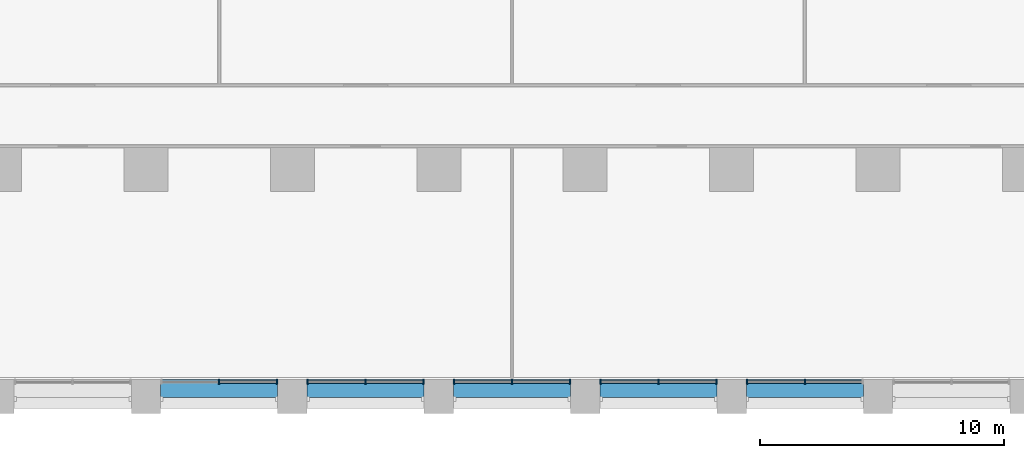
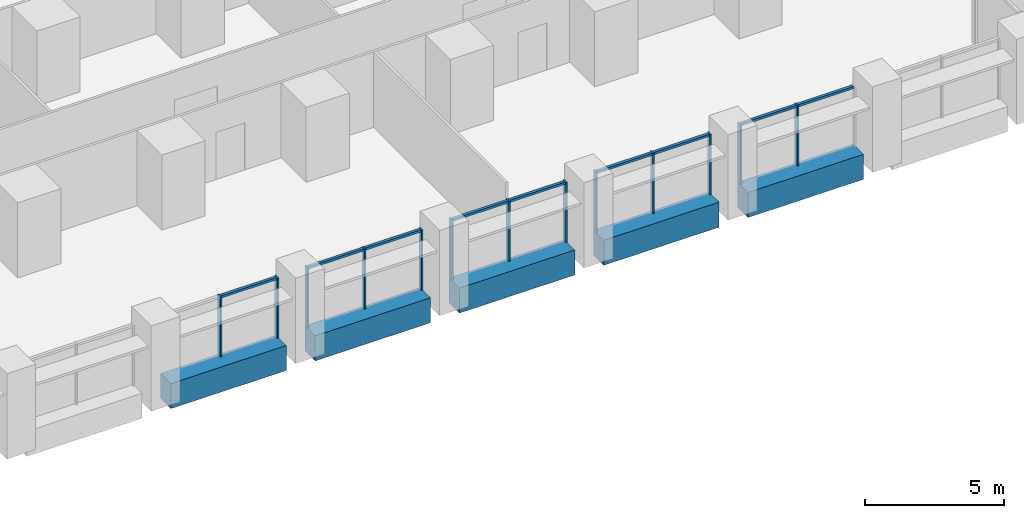
# One storey, part 3 of 18: 22 members, 5 beams, 5 elements without a shape of their own.
"""IFC4 building model written with IfcOpenShell, lengths in metres."""

from ifc_helpers import new_model, si_unit, direction, frame, origin, origin_2d, place, context, subcontext, project, spatial, rectangle, extrude, material, material_profile, profile_set, type_object, element, aggregate, save


model = new_model("IFC4")

# Units and contexts
model_context = context("Model", 3, precision=1e-05, world=origin(), true_north=direction((0.0, 1.0)))
body_context = subcontext(model_context, "Body", "Model", "MODEL_VIEW")
ifc_project = project(units=[si_unit("LENGTHUNIT", "METRE"), si_unit("AREAUNIT", "SQUARE_METRE"), si_unit("VOLUMEUNIT", "CUBIC_METRE"), si_unit("PLANEANGLEUNIT", "RADIAN"), si_unit("MASSUNIT", "GRAM", prefix="KILO")], contexts=[model_context])

# Site, building, storey
site_placement = place(None, origin())
site = spatial("IfcSite", under=ifc_project, at=site_placement, CompositionType="ELEMENT")
building_placement = place(site_placement, origin())
building = spatial("IfcBuilding", under=site, at=building_placement, Name="Calvaro Tower", CompositionType="ELEMENT")
storey_placement = place(building_placement, frame((0.0, 0.0, 33.75)))
storey = spatial("IfcBuildingStorey", under=building, at=storey_placement, Name="L07", CompositionType="ELEMENT", Elevation=33.75)

# Curtain wall, members
ifc_material_1 = material(Name="Anodised aluminium", Category="aluminium")
curtain_wall_type = type_object("IfcCurtainWallType", Name="Office curtain wall, lower zone", PredefinedType="NOTDEFINED", material=ifc_material_1)
curtain_wall_1_placement = place(storey_placement, origin())
curtain_wall_1 = element("IfcCurtainWall", 1, at=curtain_wall_1_placement, inside=storey, type_object=curtain_wall_type, Name="CW1 south curtain wall", PredefinedType="NOTDEFINED")
ifc_material_2 = material(Name="Anodised aluminium", Category="aluminium")
ifc_material_profile_1 = material_profile(ifc_material_2, rectangle(XDim=0.199951171875, YDim=0.06005859375, at=origin_2d()), Name="Mullion S1 60 x 200")
ifc_profile_set_1 = profile_set([ifc_material_profile_1], Name="Anodised aluminium")
member_type_1 = type_object("IfcMemberType", Name="Mullion S1 60 x 200", PredefinedType="MULLION", material=ifc_profile_set_1)
member_1_placement = place(storey_placement, frame((39.0, 1.300048828125, 0.0), z_axis=(0.0, 0.0, 1.0), x_axis=(0.0, 1.0, 0.0)))
member_1 = element("IfcMember", 2, at=member_1_placement, type_object=member_type_1, Name="CW1 mullion 2", PredefinedType="MULLION", context=body_context, shape_type="SweptSolid", body=[
    extrude(rectangle(XDim=0.199951171875, YDim=0.06005859375, at=origin_2d()), origin(), (0.0, 0.0, 1.0), 2.64990234375),
])
member_2_placement = place(storey_placement, frame((41.3701171875, 1.300048828125, 0.0), z_axis=(0.0, 0.0, 1.0), x_axis=(0.0, 1.0, 0.0)))
member_2 = element("IfcMember", 3, at=member_2_placement, type_object=member_type_1, Name="CW1 mullion 3", PredefinedType="MULLION", context=body_context, shape_type="SweptSolid", body=[
    extrude(rectangle(XDim=0.199951171875, YDim=0.06005859375, at=origin_2d()), origin(), (0.0, 0.0, 1.0), 2.64990234375),
])

curtain_wall_2_placement = place(storey_placement, origin())
curtain_wall_2 = element("IfcCurtainWall", 4, at=curtain_wall_2_placement, inside=storey, type_object=curtain_wall_type, Name="CW1 south curtain wall", PredefinedType="NOTDEFINED")
member_3_placement = place(storey_placement, frame((42.6298828125, 1.300048828125, 0.0), z_axis=(0.0, 0.0, 1.0), x_axis=(0.0, 1.0, 0.0)))
member_3 = element("IfcMember", 5, at=member_3_placement, type_object=member_type_1, Name="CW1 mullion 1", PredefinedType="MULLION", context=body_context, shape_type="SweptSolid", body=[
    extrude(rectangle(XDim=0.199951171875, YDim=0.06005859375, at=origin_2d()), origin(), (0.0, 0.0, 1.0), 2.64990234375),
])
member_4_placement = place(storey_placement, frame((45.0, 1.300048828125, 0.0), z_axis=(0.0, 0.0, 1.0), x_axis=(0.0, 1.0, 0.0)))
member_4 = element("IfcMember", 6, at=member_4_placement, type_object=member_type_1, Name="CW1 mullion 2", PredefinedType="MULLION", context=body_context, shape_type="SweptSolid", body=[
    extrude(rectangle(XDim=0.199951171875, YDim=0.06005859375, at=origin_2d()), origin(), (0.0, 0.0, 1.0), 2.64990234375),
])
member_5_placement = place(storey_placement, frame((47.3701171875, 1.300048828125, 0.0), z_axis=(0.0, 0.0, 1.0), x_axis=(0.0, 1.0, 0.0)))
member_5 = element("IfcMember", 7, at=member_5_placement, type_object=member_type_1, Name="CW1 mullion 3", PredefinedType="MULLION", context=body_context, shape_type="SweptSolid", body=[
    extrude(rectangle(XDim=0.199951171875, YDim=0.06005859375, at=origin_2d()), origin(), (0.0, 0.0, 1.0), 2.64990234375),
])

curtain_wall_3_placement = place(storey_placement, origin())
curtain_wall_3 = element("IfcCurtainWall", 8, at=curtain_wall_3_placement, inside=storey, type_object=curtain_wall_type, Name="CW1 south curtain wall", PredefinedType="NOTDEFINED")
member_6_placement = place(storey_placement, frame((48.6298828125, 1.300048828125, 0.0), z_axis=(0.0, 0.0, 1.0), x_axis=(0.0, 1.0, 0.0)))
member_6 = element("IfcMember", 9, at=member_6_placement, type_object=member_type_1, Name="CW1 mullion 1", PredefinedType="MULLION", context=body_context, shape_type="SweptSolid", body=[
    extrude(rectangle(XDim=0.199951171875, YDim=0.06005859375, at=origin_2d()), origin(), (0.0, 0.0, 1.0), 2.64990234375),
])
member_7_placement = place(storey_placement, frame((51.0, 1.300048828125, 0.0), z_axis=(0.0, 0.0, 1.0), x_axis=(0.0, 1.0, 0.0)))
member_7 = element("IfcMember", 10, at=member_7_placement, type_object=member_type_1, Name="CW1 mullion 2", PredefinedType="MULLION", context=body_context, shape_type="SweptSolid", body=[
    extrude(rectangle(XDim=0.199951171875, YDim=0.06005859375, at=origin_2d()), origin(), (0.0, 0.0, 1.0), 2.64990234375),
])
member_8_placement = place(storey_placement, frame((53.3701171875, 1.300048828125, 0.0), z_axis=(0.0, 0.0, 1.0), x_axis=(0.0, 1.0, 0.0)))
member_8 = element("IfcMember", 11, at=member_8_placement, type_object=member_type_1, Name="CW1 mullion 3", PredefinedType="MULLION", context=body_context, shape_type="SweptSolid", body=[
    extrude(rectangle(XDim=0.199951171875, YDim=0.06005859375, at=origin_2d()), origin(), (0.0, 0.0, 1.0), 2.64990234375),
])

curtain_wall_4_placement = place(storey_placement, origin())
curtain_wall_4 = element("IfcCurtainWall", 12, at=curtain_wall_4_placement, inside=storey, type_object=curtain_wall_type, Name="CW1 south curtain wall", PredefinedType="NOTDEFINED")
member_9_placement = place(storey_placement, frame((54.6298828125, 1.300048828125, 0.0), z_axis=(0.0, 0.0, 1.0), x_axis=(0.0, 1.0, 0.0)))
member_9 = element("IfcMember", 13, at=member_9_placement, type_object=member_type_1, Name="CW1 mullion 1", PredefinedType="MULLION", context=body_context, shape_type="SweptSolid", body=[
    extrude(rectangle(XDim=0.199951171875, YDim=0.06005859375, at=origin_2d()), origin(), (0.0, 0.0, 1.0), 2.64990234375),
])
member_10_placement = place(storey_placement, frame((57.0, 1.300048828125, 0.0), z_axis=(0.0, 0.0, 1.0), x_axis=(0.0, 1.0, 0.0)))
member_10 = element("IfcMember", 14, at=member_10_placement, type_object=member_type_1, Name="CW1 mullion 2", PredefinedType="MULLION", context=body_context, shape_type="SweptSolid", body=[
    extrude(rectangle(XDim=0.199951171875, YDim=0.06005859375, at=origin_2d()), origin(), (0.0, 0.0, 1.0), 2.64990234375),
])
member_11_placement = place(storey_placement, frame((59.3701171875, 1.300048828125, 0.0), z_axis=(0.0, 0.0, 1.0), x_axis=(0.0, 1.0, 0.0)))
member_11 = element("IfcMember", 15, at=member_11_placement, type_object=member_type_1, Name="CW1 mullion 3", PredefinedType="MULLION", context=body_context, shape_type="SweptSolid", body=[
    extrude(rectangle(XDim=0.199951171875, YDim=0.06005859375, at=origin_2d()), origin(), (0.0, 0.0, 1.0), 2.64990234375),
])

curtain_wall_5_placement = place(storey_placement, origin())
curtain_wall_5 = element("IfcCurtainWall", 16, at=curtain_wall_5_placement, inside=storey, type_object=curtain_wall_type, Name="CW1 south curtain wall", PredefinedType="NOTDEFINED")
member_12_placement = place(storey_placement, frame((60.6298828125, 1.300048828125, 0.0), z_axis=(0.0, 0.0, 1.0), x_axis=(0.0, 1.0, 0.0)))
member_12 = element("IfcMember", 17, at=member_12_placement, type_object=member_type_1, Name="CW1 mullion 1", PredefinedType="MULLION", context=body_context, shape_type="SweptSolid", body=[
    extrude(rectangle(XDim=0.199951171875, YDim=0.06005859375, at=origin_2d()), origin(), (0.0, 0.0, 1.0), 2.64990234375),
])
member_13_placement = place(storey_placement, frame((63.0, 1.300048828125, 0.0), z_axis=(0.0, 0.0, 1.0), x_axis=(0.0, 1.0, 0.0)))
member_13 = element("IfcMember", 18, at=member_13_placement, type_object=member_type_1, Name="CW1 mullion 2", PredefinedType="MULLION", context=body_context, shape_type="SweptSolid", body=[
    extrude(rectangle(XDim=0.199951171875, YDim=0.06005859375, at=origin_2d()), origin(), (0.0, 0.0, 1.0), 2.64990234375),
])

# Beams
ifc_material_3 = material(Name="Concrete C50/60 precast", Category="concrete")
ifc_material_profile_2 = material_profile(ifc_material_3, rectangle(XDim=0.75, YDim=1.10009765625, at=origin_2d()), Name="RC 750x1100")
ifc_profile_set_2 = profile_set([ifc_material_profile_2], Name="Concrete C50/60 precast")
beam_type = type_object("IfcBeamType", Name="Spandrel beam 750x1100 C50/60", PredefinedType="SPANDREL", material=ifc_profile_set_2)
for number, where, z_axis, x_axis, name in (
    (19, (36.60009765625, 1.02490234375, -0.550048828125), (1.0, 0.0, 0.0), (0.0, 1.0, 0.0), "Spandrel beam"),
    (20, (42.60009765625, 1.02490234375, -0.550048828125), (1.0, 0.0, 0.0), (0.0, 1.0, 0.0), "Spandrel beam"),
    (21, (48.60009765625, 1.02490234375, -0.550048828125), (1.0, 0.0, 0.0), (0.0, 1.0, 0.0), "Spandrel beam"),
    (22, (54.60009765625, 1.02490234375, -0.550048828125), (1.0, 0.0, 0.0), (0.0, 1.0, 0.0), "Spandrel beam"),
    (23, (60.60009765625, 1.02490234375, -0.550048828125), (1.0, 0.0, 0.0), (0.0, 1.0, 0.0), "Spandrel beam"),
):
    element("IfcBeam", number, at=place(storey_placement, frame(where, z_axis=z_axis, x_axis=x_axis)), inside=storey, type_object=beam_type, Name=name, PredefinedType="SPANDREL", context=body_context, shape_type="SweptSolid", body=[
        extrude(rectangle(XDim=0.75, YDim=1.10009765625, at=origin_2d()), origin(), (0.0, 0.0, 1.0), 4.7998046875),
    ])

# Member
ifc_material_4 = material(Name="Anodised aluminium", Category="aluminium")
ifc_material_profile_3 = material_profile(ifc_material_4, rectangle(XDim=0.1201171875, YDim=0.10009765625, at=origin_2d()), Name="Transom S1 100 x 120")
ifc_profile_set_3 = profile_set([ifc_material_profile_3], Name="Anodised aluminium")
member_type_2 = type_object("IfcMemberType", Name="Transom S1 100 x 120", PredefinedType="USERDEFINED", material=ifc_profile_set_3)
member_14_placement = place(storey_placement, frame((39.030029296875, 1.300048828125, 2.60009765625), z_axis=(1.0, 0.0, 0.0), x_axis=(0.0, 1.0, 0.0)))
member_14 = element("IfcMember", 24, at=member_14_placement, type_object=member_type_2, Name="CW1 transom 2.1", ObjectType="TRANSOM", PredefinedType="USERDEFINED", context=body_context, shape_type="SweptSolid", body=[
    extrude(rectangle(XDim=0.1201171875, YDim=0.10009765625, at=origin_2d()), origin(), (0.0, 0.0, 1.0), 2.31005859375),
])

aggregate(curtain_wall_1, [member_1, member_2, member_14])

member_15_placement = place(storey_placement, frame((42.659912109375, 1.300048828125, 2.60009765625), z_axis=(1.0, 0.0, 0.0), x_axis=(0.0, 1.0, 0.0)))
member_15 = element("IfcMember", 25, at=member_15_placement, type_object=member_type_2, Name="CW1 transom 1.1", ObjectType="TRANSOM", PredefinedType="USERDEFINED", context=body_context, shape_type="SweptSolid", body=[
    extrude(rectangle(XDim=0.1201171875, YDim=0.10009765625, at=origin_2d()), origin(), (0.0, 0.0, 1.0), 2.31005859375),
])

member_16_placement = place(storey_placement, frame((45.030029296875, 1.300048828125, 2.60009765625), z_axis=(1.0, 0.0, 0.0), x_axis=(0.0, 1.0, 0.0)))
member_16 = element("IfcMember", 26, at=member_16_placement, type_object=member_type_2, Name="CW1 transom 2.1", ObjectType="TRANSOM", PredefinedType="USERDEFINED", context=body_context, shape_type="SweptSolid", body=[
    extrude(rectangle(XDim=0.1201171875, YDim=0.10009765625, at=origin_2d()), origin(), (0.0, 0.0, 1.0), 2.31005859375),
])

aggregate(curtain_wall_2, [member_3, member_4, member_5, member_15, member_16])

member_17_placement = place(storey_placement, frame((48.659912109375, 1.300048828125, 2.60009765625), z_axis=(1.0, 0.0, 0.0), x_axis=(0.0, 1.0, 0.0)))
member_17 = element("IfcMember", 27, at=member_17_placement, type_object=member_type_2, Name="CW1 transom 1.1", ObjectType="TRANSOM", PredefinedType="USERDEFINED", context=body_context, shape_type="SweptSolid", body=[
    extrude(rectangle(XDim=0.1201171875, YDim=0.10009765625, at=origin_2d()), origin(), (0.0, 0.0, 1.0), 2.31005859375),
])

member_18_placement = place(storey_placement, frame((51.030029296875, 1.300048828125, 2.60009765625), z_axis=(1.0, 0.0, 0.0), x_axis=(0.0, 1.0, 0.0)))
member_18 = element("IfcMember", 28, at=member_18_placement, type_object=member_type_2, Name="CW1 transom 2.1", ObjectType="TRANSOM", PredefinedType="USERDEFINED", context=body_context, shape_type="SweptSolid", body=[
    extrude(rectangle(XDim=0.1201171875, YDim=0.10009765625, at=origin_2d()), origin(), (0.0, 0.0, 1.0), 2.31005859375),
])

aggregate(curtain_wall_3, [member_6, member_7, member_8, member_17, member_18])

member_19_placement = place(storey_placement, frame((54.659912109375, 1.300048828125, 2.60009765625), z_axis=(1.0, 0.0, 0.0), x_axis=(0.0, 1.0, 0.0)))
member_19 = element("IfcMember", 29, at=member_19_placement, type_object=member_type_2, Name="CW1 transom 1.1", ObjectType="TRANSOM", PredefinedType="USERDEFINED", context=body_context, shape_type="SweptSolid", body=[
    extrude(rectangle(XDim=0.1201171875, YDim=0.10009765625, at=origin_2d()), origin(), (0.0, 0.0, 1.0), 2.31005859375),
])

member_20_placement = place(storey_placement, frame((57.030029296875, 1.300048828125, 2.60009765625), z_axis=(1.0, 0.0, 0.0), x_axis=(0.0, 1.0, 0.0)))
member_20 = element("IfcMember", 30, at=member_20_placement, type_object=member_type_2, Name="CW1 transom 2.1", ObjectType="TRANSOM", PredefinedType="USERDEFINED", context=body_context, shape_type="SweptSolid", body=[
    extrude(rectangle(XDim=0.1201171875, YDim=0.10009765625, at=origin_2d()), origin(), (0.0, 0.0, 1.0), 2.31005859375),
])

aggregate(curtain_wall_4, [member_9, member_10, member_11, member_19, member_20])

member_21_placement = place(storey_placement, frame((60.659912109375, 1.300048828125, 2.60009765625), z_axis=(1.0, 0.0, 0.0), x_axis=(0.0, 1.0, 0.0)))
member_21 = element("IfcMember", 31, at=member_21_placement, type_object=member_type_2, Name="CW1 transom 1.1", ObjectType="TRANSOM", PredefinedType="USERDEFINED", context=body_context, shape_type="SweptSolid", body=[
    extrude(rectangle(XDim=0.1201171875, YDim=0.10009765625, at=origin_2d()), origin(), (0.0, 0.0, 1.0), 2.31005859375),
])

member_22_placement = place(storey_placement, frame((63.030029296875, 1.300048828125, 2.60009765625), z_axis=(1.0, 0.0, 0.0), x_axis=(0.0, 1.0, 0.0)))
member_22 = element("IfcMember", 32, at=member_22_placement, type_object=member_type_2, Name="CW1 transom 2.1", ObjectType="TRANSOM", PredefinedType="USERDEFINED", context=body_context, shape_type="SweptSolid", body=[
    extrude(rectangle(XDim=0.1201171875, YDim=0.10009765625, at=origin_2d()), origin(), (0.0, 0.0, 1.0), 2.31005859375),
])

aggregate(curtain_wall_5, [member_12, member_13, member_21, member_22])

save(model, "model.ifc")
